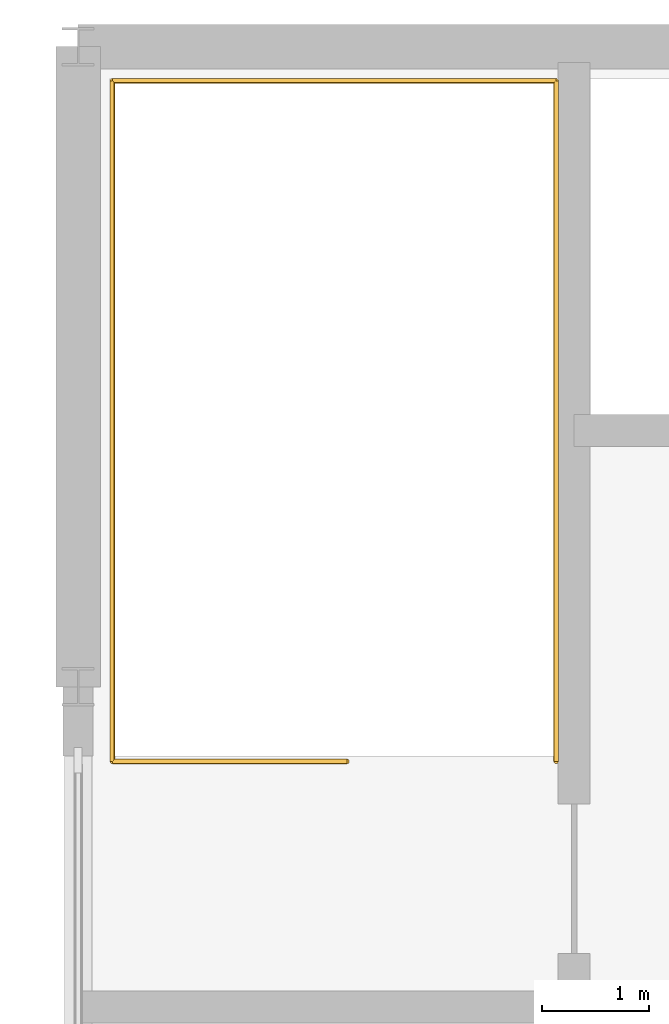
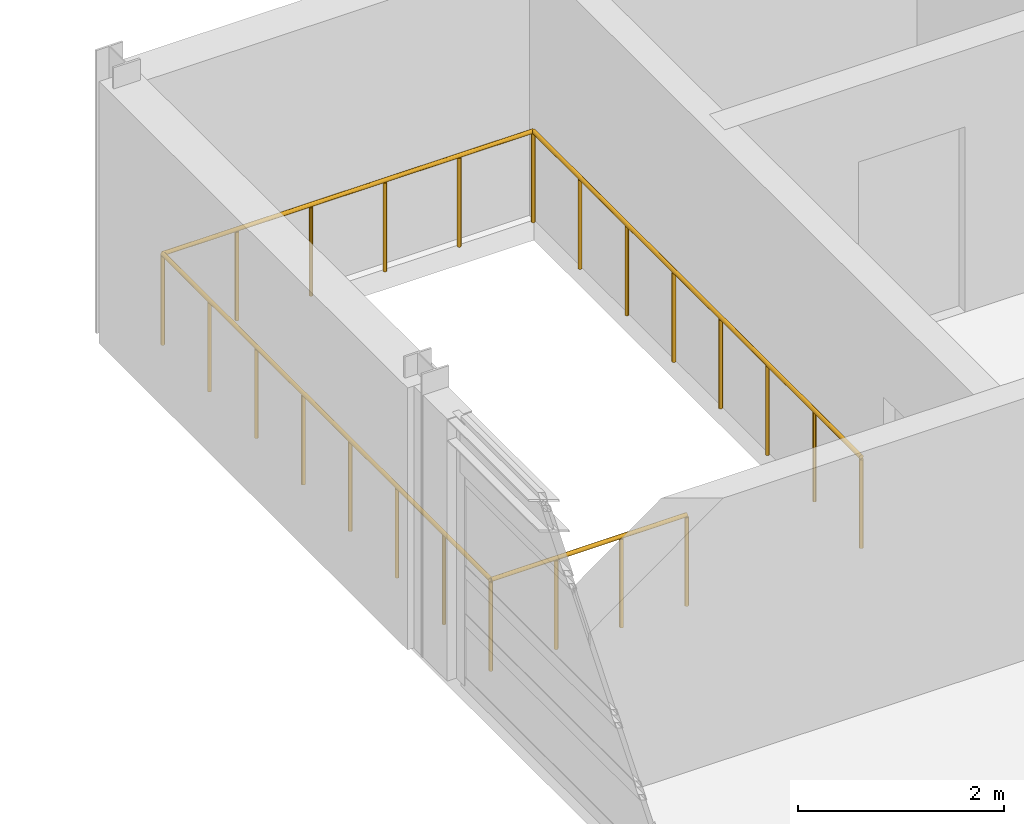
# One storey, part 91 of 91: 1 railing.
"""IFC4 building model written with IfcOpenShell, lengths in metres."""

from ifc_helpers import new_model, si_unit, direction, frame, origin, origin_2d, place, context, subcontext, project, spatial, circle, extrude, material, type_object, element, save


model = new_model("IFC4")

# Units and contexts
model_context = context("Model", 3, precision=1e-05, world=origin(), true_north=direction((0.0, 1.0)))
body_context = subcontext(model_context, "Body", "Model", "MODEL_VIEW")
ifc_project = project(units=[si_unit("LENGTHUNIT", "METRE"), si_unit("AREAUNIT", "SQUARE_METRE"), si_unit("VOLUMEUNIT", "CUBIC_METRE"), si_unit("PLANEANGLEUNIT", "RADIAN"), si_unit("MASSUNIT", "GRAM", prefix="KILO")], contexts=[model_context])

# Site, building, storey
site_placement = place(None, origin())
site = spatial("IfcSite", under=ifc_project, at=site_placement, CompositionType="ELEMENT")
building_placement = place(site_placement, origin())
building = spatial("IfcBuilding", under=site, at=building_placement, Name="Palais des Congres Ocreval", CompositionType="ELEMENT")
storey_placement = place(building_placement, frame((0.0, 0.0, 8.159912109375)))
storey = spatial("IfcBuildingStorey", under=building, at=storey_placement, Name="L02", CompositionType="ELEMENT", Elevation=8.159912109375)

# Railing
ifc_material = material(Name="Steel S355", Category="steel")
railing_type = type_object("IfcRailingType", Name="Stairwell Steel Guardrail 1100", PredefinedType="GUARDRAIL", material=ifc_material)
railing_placement = place(storey_placement, frame((101.52001953125, 107.300048828125, 0.0)))
element("IfcRailing", 1, at=railing_placement, inside=storey, type_object=railing_type, Name="Top-Landing Stairwell Perimeter Guard ST07 L02", PredefinedType="GUARDRAIL", context=body_context, shape_type="SweptSolid", body=[
    extrude(circle(Radius=0.02392578125, at=origin_2d()), frame((0.0, 0.0, 1.076171875), z_axis=(-1.0, 0.0, 0.0), x_axis=(0.0, -1.0, 0.0)), (0.0, 0.0, 1.0), 2.199951171875),
    extrude(circle(Radius=0.02392578125, at=origin_2d()), frame((-2.199951171875, 0.0, 1.076171875), z_axis=(0.0, 1.0, 0.0), x_axis=(-1.0, 0.0, 0.0)), (0.0, 0.0, 1.0), 6.3798828125),
    extrude(circle(Radius=0.02392578125, at=origin_2d()), frame((-2.199951171875, 6.3798828125, 1.076171875), z_axis=(1.0, 0.0, 0.0), x_axis=(0.0, 1.0, 0.0)), (0.0, 0.0, 1.0), 4.159912109375),
    extrude(circle(Radius=0.02392578125, at=origin_2d()), frame((1.9599609375, 6.3798828125, 1.076171875), z_axis=(0.0, -1.0, 0.0), x_axis=(1.0, 0.0, 0.0)), (0.0, 0.0, 1.0), 6.3798828125),
    extrude(circle(Radius=0.02099609375, at=origin_2d()), origin(), (0.0, 0.0, 1.0), 1.052001953125),
    extrude(circle(Radius=0.02099609375, at=origin_2d()), frame((-0.7333984375, 0.0, 0.0)), (0.0, 0.0, 1.0), 1.052001953125),
    extrude(circle(Radius=0.02099609375, at=origin_2d()), frame((-1.466552734375, 0.0, 0.0)), (0.0, 0.0, 1.0), 1.052001953125),
    extrude(circle(Radius=0.02099609375, at=origin_2d()), frame((-2.199951171875, 0.0, 0.0)), (0.0, 0.0, 1.0), 1.052001953125),
    extrude(circle(Radius=0.02099609375, at=origin_2d()), frame((-2.199951171875, 0.911376953125, 0.0)), (0.0, 0.0, 1.0), 1.052001953125),
    extrude(circle(Radius=0.02099609375, at=origin_2d()), frame((-2.199951171875, 1.82275390625, 0.0)), (0.0, 0.0, 1.0), 1.052001953125),
    extrude(circle(Radius=0.02099609375, at=origin_2d()), frame((-2.199951171875, 2.734130859375, 0.0)), (0.0, 0.0, 1.0), 1.052001953125),
    extrude(circle(Radius=0.02099609375, at=origin_2d()), frame((-2.199951171875, 3.645751953125, 0.0)), (0.0, 0.0, 1.0), 1.052001953125),
    extrude(circle(Radius=0.02099609375, at=origin_2d()), frame((-2.199951171875, 4.55712890625, 0.0)), (0.0, 0.0, 1.0), 1.052001953125),
    extrude(circle(Radius=0.02099609375, at=origin_2d()), frame((-2.199951171875, 5.468505859375, 0.0)), (0.0, 0.0, 1.0), 1.052001953125),
    extrude(circle(Radius=0.02099609375, at=origin_2d()), frame((-2.199951171875, 6.3798828125, 0.0)), (0.0, 0.0, 1.0), 1.052001953125),
    extrude(circle(Radius=0.02099609375, at=origin_2d()), frame((-1.367919921875, 6.3798828125, 0.0)), (0.0, 0.0, 1.0), 1.052001953125),
    extrude(circle(Radius=0.02099609375, at=origin_2d()), frame((-0.535888671875, 6.3798828125, 0.0)), (0.0, 0.0, 1.0), 1.052001953125),
    extrude(circle(Radius=0.02099609375, at=origin_2d()), frame((0.2958984375, 6.3798828125, 0.0)), (0.0, 0.0, 1.0), 1.052001953125),
    extrude(circle(Radius=0.02099609375, at=origin_2d()), frame((1.1279296875, 6.3798828125, 0.0)), (0.0, 0.0, 1.0), 1.052001953125),
    extrude(circle(Radius=0.02099609375, at=origin_2d()), frame((1.9599609375, 6.3798828125, 0.0)), (0.0, 0.0, 1.0), 1.052001953125),
    extrude(circle(Radius=0.02099609375, at=origin_2d()), frame((1.9599609375, 5.468505859375, 0.0)), (0.0, 0.0, 1.0), 1.052001953125),
    extrude(circle(Radius=0.02099609375, at=origin_2d()), frame((1.9599609375, 4.55712890625, 0.0)), (0.0, 0.0, 1.0), 1.052001953125),
    extrude(circle(Radius=0.02099609375, at=origin_2d()), frame((1.9599609375, 3.645751953125, 0.0)), (0.0, 0.0, 1.0), 1.052001953125),
    extrude(circle(Radius=0.02099609375, at=origin_2d()), frame((1.9599609375, 2.734130859375, 0.0)), (0.0, 0.0, 1.0), 1.052001953125),
    extrude(circle(Radius=0.02099609375, at=origin_2d()), frame((1.9599609375, 1.82275390625, 0.0)), (0.0, 0.0, 1.0), 1.052001953125),
    extrude(circle(Radius=0.02099609375, at=origin_2d()), frame((1.9599609375, 0.911376953125, 0.0)), (0.0, 0.0, 1.0), 1.052001953125),
    extrude(circle(Radius=0.02099609375, at=origin_2d()), frame((1.9599609375, 0.0, 0.0)), (0.0, 0.0, 1.0), 1.052001953125),
])

save(model, "model.ifc")
